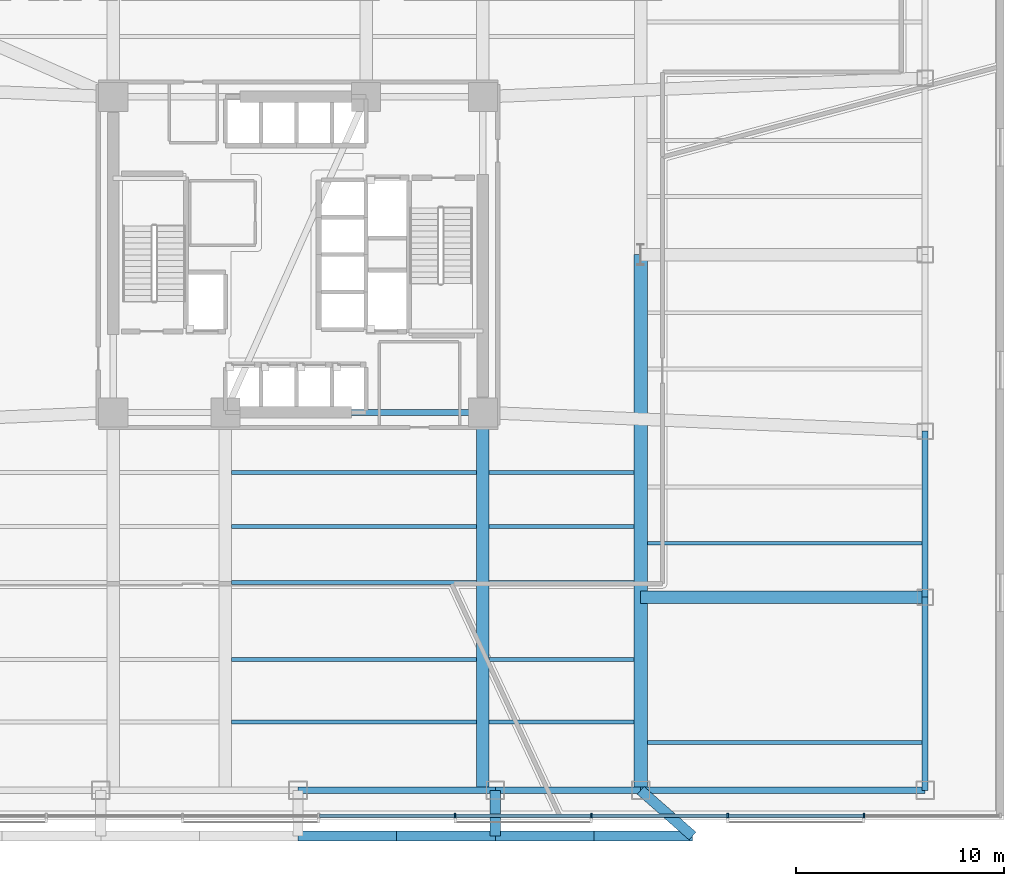
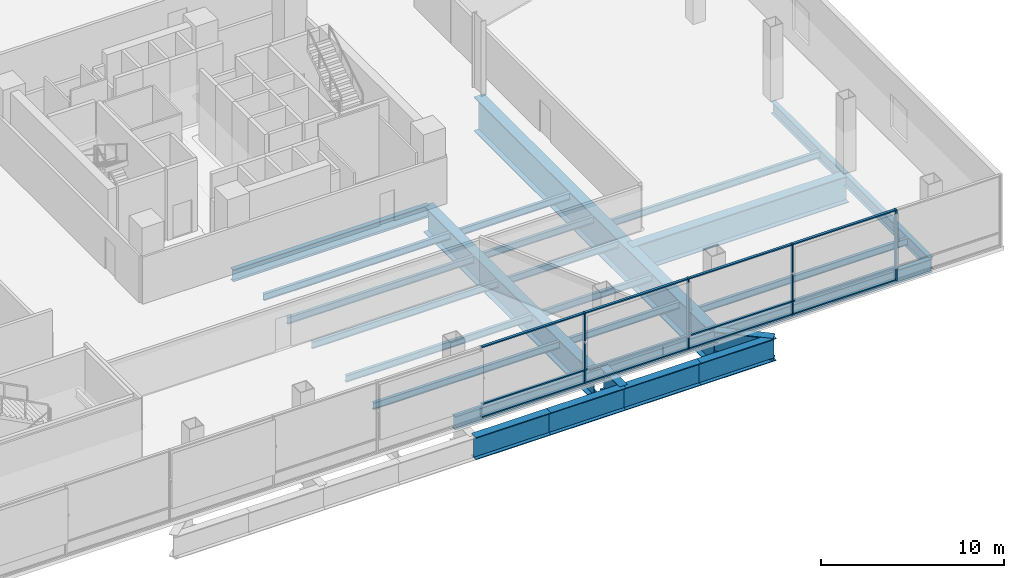
# One storey, part 3 of 20: 27 beams, 16 members, 1 element without a shape of its own.
"""IFC4 building model written with IfcOpenShell, lengths in metres."""

import ifcopenshell
import ifcopenshell.guid

model = None  # the IFC model being written
_history = None  # IfcOwnerHistory: only IFC2X3 demands one
_inside = {}  # id of a spatial element -> (the spatial element, [elements in it])
_under = {}  # id of a project, library or spatial element -> (it, [spatial elements below it])
_declared = {}  # id of a project -> (the project, [libraries it declares])
_typed = {}  # id of a type object -> (the type object, [elements of that type])
_made_of = {}  # id of a material, layer set ... -> (it, [elements and type objects made of it])


def new_model(schema):
    """Start an empty IFC model of exactly this schema.

    Asked for "IFC4X3", IfcOpenShell would pick the latest addendum, in which some entities
    have other attributes; the version numbers below select the first issue.
    IFC2X3 requires an IfcOwnerHistory on every rooted entity: one is made here for all.
    """
    global model, _history
    if schema == "IFC4X3":
        model = ifcopenshell.file(schema_version=(4, 3, 0, 0))
    else:
        model = ifcopenshell.file(schema=schema)
    _inside.clear()
    _under.clear()
    _declared.clear()
    _typed.clear()
    _made_of.clear()
    _history = None
    if model.schema == "IFC2X3":
        org = make("IfcOrganization", Name="unknown")
        user = make(
            "IfcPersonAndOrganization",
            ThePerson=make("IfcPerson", FamilyName="unknown"),
            TheOrganization=org,
        )
        app = make(
            "IfcApplication",
            ApplicationDeveloper=org,
            Version="unknown",
            ApplicationFullName="unknown",
            ApplicationIdentifier="unknown",
        )
        _history = make(
            "IfcOwnerHistory",
            OwningUser=user,
            OwningApplication=app,
            ChangeAction="ADDED",
            CreationDate=0,
        )
    return model


def make(cls, **values):
    """One entity of the class cls with the attributes given. An attribute that is None is left unset."""
    return model.create_entity(
        cls, **{name: value for name, value in values.items() if value is not None}
    )


def rooted(cls, **values):
    """An entity with a GlobalId (a new one), such as an element, a storey or a relation."""
    return make(cls, GlobalId=ifcopenshell.guid.new(), OwnerHistory=_history, **values)


def si_unit(unit_type, name, prefix=None):
    """IfcSIUnit, for example si_unit("LENGTHUNIT", "METRE", prefix="MILLI")."""
    return make("IfcSIUnit", UnitType=unit_type, Prefix=prefix, Name=name)


def assignment(units):
    """IfcUnitAssignment: the units of a project."""
    return None if units is None else make("IfcUnitAssignment", Units=units)


def point(xyz):
    """IfcCartesianPoint."""
    return None if xyz is None else make("IfcCartesianPoint", Coordinates=xyz)


def direction(xyz):
    """IfcDirection."""
    return None if xyz is None else make("IfcDirection", DirectionRatios=xyz)


def frame(location, z_axis=None, x_axis=None):
    """IfcAxis2Placement3D, a coordinate frame: its origin and axes. An axis left out is left unset."""
    return make(
        "IfcAxis2Placement3D",
        Location=point(location),
        Axis=direction(z_axis),
        RefDirection=direction(x_axis),
    )


def frame_2d(location, x_axis=None):
    """IfcAxis2Placement2D, a coordinate frame in the plane: its origin and x axis."""
    return make(
        "IfcAxis2Placement2D", Location=point(location), RefDirection=direction(x_axis)
    )


def origin():
    """The frame at (0, 0, 0) with its axes left unset."""
    return frame((0.0, 0.0, 0.0))


def origin_2d():
    """The frame at (0, 0) in the plane with its x axis left unset."""
    return frame_2d((0.0, 0.0))


def place(relative_to, where):
    """IfcLocalPlacement: puts the frame where relative to a parent placement (None: the world)."""
    return make(
        "IfcLocalPlacement", PlacementRelTo=relative_to, RelativePlacement=where
    )


def context(
    kind, dimensions, precision=None, world=None, true_north=None, identifier=None
):
    """IfcGeometricRepresentationContext, for example the 3D "Model" context."""
    return make(
        "IfcGeometricRepresentationContext",
        ContextIdentifier=identifier,
        ContextType=kind,
        CoordinateSpaceDimension=dimensions,
        Precision=precision,
        WorldCoordinateSystem=world,
        TrueNorth=true_north,
    )


def subcontext(parent, identifier, kind, view, scale=None):
    """IfcGeometricRepresentationSubContext, for example "Body" below "Model"."""
    return make(
        "IfcGeometricRepresentationSubContext",
        ContextIdentifier=identifier,
        ContextType=kind,
        ParentContext=parent,
        TargetScale=scale,
        TargetView=view,
    )


def project(units=None, contexts=None):
    """IfcProject with its units and contexts."""
    return rooted(
        "IfcProject",
        Name="project",
        RepresentationContexts=contexts,
        UnitsInContext=assignment(units),
    )


def spatial(cls, under=None, at=None, **own):
    """A site, building, storey or space (cls), placed at a placement, below another one or the project."""
    s = rooted(cls, ObjectPlacement=at, **own)
    if under is not None:
        _under.setdefault(under.id(), (under, []))[1].append(s)
    return s


def profile(cls, at=None, kind="AREA", **sizes):
    """A parametric profile (cls). Its sizes go by their IFC names, for example OverallWidth=200.0."""
    return make(cls, ProfileType=kind, Position=at, **sizes)


def rectangle(**sizes):
    """IfcRectangleProfileDef."""
    return profile("IfcRectangleProfileDef", **sizes)


def i_section(**sizes):
    """IfcIShapeProfileDef."""
    return profile("IfcIShapeProfileDef", **sizes)


def extrude(swept, where, along, depth):
    """IfcExtrudedAreaSolid: the profile swept, set in the frame where, extruded along a direction by depth."""
    return make(
        "IfcExtrudedAreaSolid",
        SweptArea=swept,
        Position=where,
        ExtrudedDirection=direction(along),
        Depth=depth,
    )


def shape(context_of_items, identifier, shape_type, items):
    """IfcShapeRepresentation: the items that make up one representation, for example the "Body"."""
    return make(
        "IfcShapeRepresentation",
        ContextOfItems=context_of_items,
        RepresentationIdentifier=identifier,
        RepresentationType=shape_type,
        Items=items,
    )


def material(Name=None, Category=None):
    """IfcMaterial."""
    return make("IfcMaterial", Name=Name, Category=Category)


def layer(
    of_material, thickness, ventilated=None, Name=None, Category=None, Priority=None
):
    """IfcMaterialLayer: one layer of a wall or slab, of a material (None: an air gap)."""
    return make(
        "IfcMaterialLayer",
        Material=of_material,
        LayerThickness=thickness,
        IsVentilated=ventilated,
        Name=Name,
        Category=Category,
        Priority=Priority,
    )


def layer_set(layers, Name=None):
    """IfcMaterialLayerSet."""
    return make("IfcMaterialLayerSet", MaterialLayers=layers, LayerSetName=Name)


def material_profile(
    of_material, cross_section, Name=None, Category=None, Priority=None
):
    """IfcMaterialProfile: a cross section and its material."""
    return make(
        "IfcMaterialProfile",
        Name=Name,
        Material=of_material,
        Profile=cross_section,
        Priority=Priority,
        Category=Category,
    )


def profile_set(profiles, Name=None, composite=None):
    """IfcMaterialProfileSet."""
    return make(
        "IfcMaterialProfileSet",
        Name=Name,
        MaterialProfiles=profiles,
        CompositeProfile=composite,
    )


def made_of(thing, what):
    """Note that an element or type object is made of a material, layer set ...; save() writes the relation."""
    if what is not None:
        _made_of.setdefault(what.id(), (what, []))[1].append(thing)
    return thing


def type_object(cls, material=None, **own):
    """A type object (cls), such as IfcWallType, which elements share."""
    return made_of(rooted(cls, **own), material)


def element(
    cls,
    number,
    at=None,
    inside=None,
    cuts=None,
    type_object=None,
    material=None,
    context=None,
    identifier="Body",
    shape_type=None,
    held_by="IfcProductDefinitionShape",
    body=None,
    shapes=None,
    **own,
):
    """One element of the class cls, such as IfcWall. Its Tag is "e" and its number.

    at: its placement. inside: the storey or other place that contains it. cuts: it is an
    opening in that element (IfcRelVoidsElement). A single representation is given by context,
    identifier, shape_type and body (its items); several are given by shapes. held_by: the class
    of the entity that holds the representations. save() writes the other relations.
    """
    e = rooted(cls, Tag="e%d" % number, ObjectPlacement=at, **own)
    if body is not None:
        shapes = [shape(context, identifier, shape_type, body)]
    if shapes is not None:
        e.Representation = make(held_by, Representations=shapes)
    if inside is not None:
        _inside.setdefault(inside.id(), (inside, []))[1].append(e)
    if cuts is not None:
        rooted(
            "IfcRelVoidsElement", RelatingBuildingElement=cuts, RelatedOpeningElement=e
        )
    if type_object is not None:
        _typed.setdefault(type_object.id(), (type_object, []))[1].append(e)
    return made_of(e, material)


def aggregate(whole, parts):
    """IfcRelAggregates: a whole, such as a stair, and the parts it consists of."""
    return rooted("IfcRelAggregates", RelatingObject=whole, RelatedObjects=parts)


def save(model, path):
    """Write the relations noted so far, then the file.

    IfcRelAggregates (storeys below a building ...), IfcRelContainedInSpatialStructure (elements
    in a storey), IfcRelDefinesByType, IfcRelAssociatesMaterial and IfcRelDeclares: one each for
    every whole, place, type object, material and project.
    """
    for whole, parts in _under.values():
        aggregate(whole, parts)
    for where, things in _inside.values():
        rooted(
            "IfcRelContainedInSpatialStructure",
            RelatedElements=things,
            RelatingStructure=where,
        )
    for kind, things in _typed.values():
        rooted("IfcRelDefinesByType", RelatedObjects=things, RelatingType=kind)
    for what, things in _made_of.values():
        rooted("IfcRelAssociatesMaterial", RelatedObjects=things, RelatingMaterial=what)
    for by, libraries in _declared.values():
        rooted("IfcRelDeclares", RelatingContext=by, RelatedDefinitions=libraries)
    model.write(path)


model = new_model("IFC4")

# Units and contexts
model_context = context("Model", 3, precision=1e-05, world=origin(), true_north=direction((0.0, 1.0)))
body_context = subcontext(model_context, "Body", "Model", "MODEL_VIEW")
ifc_project = project(units=[si_unit("LENGTHUNIT", "METRE"), si_unit("AREAUNIT", "SQUARE_METRE"), si_unit("VOLUMEUNIT", "CUBIC_METRE"), si_unit("PLANEANGLEUNIT", "RADIAN"), si_unit("MASSUNIT", "GRAM", prefix="KILO")], contexts=[model_context])

# Site, building, storey
site_placement = place(None, origin())
site = spatial("IfcSite", under=ifc_project, at=site_placement, CompositionType="ELEMENT")
building_placement = place(site_placement, origin())
building = spatial("IfcBuilding", under=site, at=building_placement, Name="Tharavind Bronze Gate", CompositionType="ELEMENT")
storey_placement = place(building_placement, frame((0.0, 0.0, 16.5)))
storey = spatial("IfcBuildingStorey", under=building, at=storey_placement, Name="L03", CompositionType="ELEMENT", Elevation=16.5)

# Curtain wall, members
ifc_material_1 = material(Name="Anodised Bronze Aluminium", Category="aluminium")
ifc_layer = layer(ifc_material_1, 0.219970703125)
ifc_layer_set = layer_set([ifc_layer], Name="Anodised Bronze Aluminium")
curtain_wall_type = type_object("IfcCurtainWallType", Name="UNITISED CURTAIN WALL PODIUM", PredefinedType="USERDEFINED", material=ifc_layer_set)
curtain_wall_placement = place(storey_placement, origin())
curtain_wall = element("IfcCurtainWall", 1, at=curtain_wall_placement, inside=storey, type_object=curtain_wall_type, Name="L03 unitised curtain wall podium CW-L03-S1", ObjectType="UNITISED CURTAIN WALL", PredefinedType="USERDEFINED")
member_type_1 = type_object("IfcMemberType", Name="CURTAIN WALL MULLION 80X220", PredefinedType="MULLION", material=ifc_material_1)
member_1_placement = place(storey_placement, frame((7.56396484375, -27.02001953125, 0.0), z_axis=(0.0, 0.0, 1.0), x_axis=(1.0, 0.0, 0.0)))
member_1 = element("IfcMember", 2, at=member_1_placement, type_object=member_type_1, Name="CW-L03-S1 mullion 7", PredefinedType="MULLION", context=body_context, shape_type="SweptSolid", body=[
    extrude(rectangle(XDim=0.080078125, YDim=0.219970703125, at=origin_2d()), origin(), (0.0, 0.0, 1.0), 4.739990234375),
])
member_2_placement = place(storey_placement, frame((14.1279296875, -27.02001953125, 0.0), z_axis=(0.0, 0.0, 1.0), x_axis=(1.0, 0.0, 0.0)))
member_2 = element("IfcMember", 3, at=member_2_placement, type_object=member_type_1, Name="CW-L03-S1 mullion 8", PredefinedType="MULLION", context=body_context, shape_type="SweptSolid", body=[
    extrude(rectangle(XDim=0.080078125, YDim=0.219970703125, at=origin_2d()), origin(), (0.0, 0.0, 1.0), 4.739990234375),
])
member_3_placement = place(storey_placement, frame((20.69189453125, -27.02001953125, 0.0), z_axis=(0.0, 0.0, 1.0), x_axis=(1.0, 0.0, 0.0)))
member_3 = element("IfcMember", 4, at=member_3_placement, type_object=member_type_1, Name="CW-L03-S1 mullion 9", PredefinedType="MULLION", context=body_context, shape_type="SweptSolid", body=[
    extrude(rectangle(XDim=0.080078125, YDim=0.219970703125, at=origin_2d()), origin(), (0.0, 0.0, 1.0), 4.739990234375),
])
member_4_placement = place(storey_placement, frame((27.256103515625, -27.02001953125, 0.0), z_axis=(0.0, 0.0, 1.0), x_axis=(1.0, 0.0, 0.0)))
member_4 = element("IfcMember", 5, at=member_4_placement, type_object=member_type_1, Name="CW-L03-S1 mullion 10", PredefinedType="MULLION", context=body_context, shape_type="SweptSolid", body=[
    extrude(rectangle(XDim=0.080078125, YDim=0.219970703125, at=origin_2d()), origin(), (0.0, 0.0, 1.0), 4.739990234375),
])
member_type_2 = type_object("IfcMemberType", Name="CURTAIN WALL TRANSOM 80X160", PredefinedType="USERDEFINED", material=ifc_material_1)
member_5_placement = place(storey_placement, frame((4.281982421875, -27.02001953125, 0.0), z_axis=(0.0, 0.0, 1.0), x_axis=(1.0, 0.0, 0.0)))
member_5 = element("IfcMember", 6, at=member_5_placement, type_object=member_type_2, Name="CW-L03-S1 transom TB6", ObjectType="TRANSOM", PredefinedType="USERDEFINED", context=body_context, shape_type="SweptSolid", body=[
    extrude(rectangle(XDim=6.49609375, YDim=0.159912109375, at=origin_2d()), origin(), (0.0, 0.0, 1.0), 0.080078125),
])
member_6_placement = place(storey_placement, frame((4.281982421875, -27.02001953125, 0.85986328125), z_axis=(0.0, 0.0, 1.0), x_axis=(1.0, 0.0, 0.0)))
member_6 = element("IfcMember", 7, at=member_6_placement, type_object=member_type_2, Name="CW-L03-S1 transom TS6", ObjectType="TRANSOM", PredefinedType="USERDEFINED", context=body_context, shape_type="SweptSolid", body=[
    extrude(rectangle(XDim=6.49609375, YDim=0.159912109375, at=origin_2d()), origin(), (0.0, 0.0, 1.0), 0.080078125),
])
member_7_placement = place(storey_placement, frame((4.281982421875, -27.02001953125, 4.659912109375), z_axis=(0.0, 0.0, 1.0), x_axis=(1.0, 0.0, 0.0)))
member_7 = element("IfcMember", 8, at=member_7_placement, type_object=member_type_2, Name="CW-L03-S1 transom TT6", ObjectType="TRANSOM", PredefinedType="USERDEFINED", context=body_context, shape_type="SweptSolid", body=[
    extrude(rectangle(XDim=6.49609375, YDim=0.159912109375, at=origin_2d()), origin(), (0.0, 0.0, 1.0), 0.080078125),
])
member_8_placement = place(storey_placement, frame((10.845947265625, -27.02001953125, 0.0), z_axis=(0.0, 0.0, 1.0), x_axis=(1.0, 0.0, 0.0)))
member_8 = element("IfcMember", 9, at=member_8_placement, type_object=member_type_2, Name="CW-L03-S1 transom TB7", ObjectType="TRANSOM", PredefinedType="USERDEFINED", context=body_context, shape_type="SweptSolid", body=[
    extrude(rectangle(XDim=6.49609375, YDim=0.159912109375, at=origin_2d()), origin(), (0.0, 0.0, 1.0), 0.080078125),
])
member_9_placement = place(storey_placement, frame((10.845947265625, -27.02001953125, 0.85986328125), z_axis=(0.0, 0.0, 1.0), x_axis=(1.0, 0.0, 0.0)))
member_9 = element("IfcMember", 10, at=member_9_placement, type_object=member_type_2, Name="CW-L03-S1 transom TS7", ObjectType="TRANSOM", PredefinedType="USERDEFINED", context=body_context, shape_type="SweptSolid", body=[
    extrude(rectangle(XDim=6.49609375, YDim=0.159912109375, at=origin_2d()), origin(), (0.0, 0.0, 1.0), 0.080078125),
])
member_10_placement = place(storey_placement, frame((10.845947265625, -27.02001953125, 4.659912109375), z_axis=(0.0, 0.0, 1.0), x_axis=(1.0, 0.0, 0.0)))
member_10 = element("IfcMember", 11, at=member_10_placement, type_object=member_type_2, Name="CW-L03-S1 transom TT7", ObjectType="TRANSOM", PredefinedType="USERDEFINED", context=body_context, shape_type="SweptSolid", body=[
    extrude(rectangle(XDim=6.49609375, YDim=0.159912109375, at=origin_2d()), origin(), (0.0, 0.0, 1.0), 0.080078125),
])
member_11_placement = place(storey_placement, frame((17.409912109375, -27.02001953125, 0.0), z_axis=(0.0, 0.0, 1.0), x_axis=(1.0, 0.0, 0.0)))
member_11 = element("IfcMember", 12, at=member_11_placement, type_object=member_type_2, Name="CW-L03-S1 transom TB8", ObjectType="TRANSOM", PredefinedType="USERDEFINED", context=body_context, shape_type="SweptSolid", body=[
    extrude(rectangle(XDim=6.49609375, YDim=0.159912109375, at=origin_2d()), origin(), (0.0, 0.0, 1.0), 0.080078125),
])
member_12_placement = place(storey_placement, frame((17.409912109375, -27.02001953125, 0.85986328125), z_axis=(0.0, 0.0, 1.0), x_axis=(1.0, 0.0, 0.0)))
member_12 = element("IfcMember", 13, at=member_12_placement, type_object=member_type_2, Name="CW-L03-S1 transom TS8", ObjectType="TRANSOM", PredefinedType="USERDEFINED", context=body_context, shape_type="SweptSolid", body=[
    extrude(rectangle(XDim=6.49609375, YDim=0.159912109375, at=origin_2d()), origin(), (0.0, 0.0, 1.0), 0.080078125),
])
member_13_placement = place(storey_placement, frame((17.409912109375, -27.02001953125, 4.659912109375), z_axis=(0.0, 0.0, 1.0), x_axis=(1.0, 0.0, 0.0)))
member_13 = element("IfcMember", 14, at=member_13_placement, type_object=member_type_2, Name="CW-L03-S1 transom TT8", ObjectType="TRANSOM", PredefinedType="USERDEFINED", context=body_context, shape_type="SweptSolid", body=[
    extrude(rectangle(XDim=6.49609375, YDim=0.159912109375, at=origin_2d()), origin(), (0.0, 0.0, 1.0), 0.080078125),
])
member_14_placement = place(storey_placement, frame((23.97412109375, -27.02001953125, 0.0), z_axis=(0.0, 0.0, 1.0), x_axis=(1.0, 0.0, 0.0)))
member_14 = element("IfcMember", 15, at=member_14_placement, type_object=member_type_2, Name="CW-L03-S1 transom TB9", ObjectType="TRANSOM", PredefinedType="USERDEFINED", context=body_context, shape_type="SweptSolid", body=[
    extrude(rectangle(XDim=6.49609375, YDim=0.159912109375, at=origin_2d()), origin(), (0.0, 0.0, 1.0), 0.080078125),
])
member_15_placement = place(storey_placement, frame((23.97412109375, -27.02001953125, 0.85986328125), z_axis=(0.0, 0.0, 1.0), x_axis=(1.0, 0.0, 0.0)))
member_15 = element("IfcMember", 16, at=member_15_placement, type_object=member_type_2, Name="CW-L03-S1 transom TS9", ObjectType="TRANSOM", PredefinedType="USERDEFINED", context=body_context, shape_type="SweptSolid", body=[
    extrude(rectangle(XDim=6.49609375, YDim=0.159912109375, at=origin_2d()), origin(), (0.0, 0.0, 1.0), 0.080078125),
])
member_16_placement = place(storey_placement, frame((23.97412109375, -27.02001953125, 4.659912109375), z_axis=(0.0, 0.0, 1.0), x_axis=(1.0, 0.0, 0.0)))
member_16 = element("IfcMember", 17, at=member_16_placement, type_object=member_type_2, Name="CW-L03-S1 transom TT9", ObjectType="TRANSOM", PredefinedType="USERDEFINED", context=body_context, shape_type="SweptSolid", body=[
    extrude(rectangle(XDim=6.49609375, YDim=0.159912109375, at=origin_2d()), origin(), (0.0, 0.0, 1.0), 0.080078125),
])
aggregate(curtain_wall, [member_1, member_2, member_3, member_4, member_5, member_6, member_7, member_8, member_9, member_10, member_11, member_12, member_13, member_14, member_15, member_16])

# Beams
ifc_material_2 = material(Name="Steel S355", Category="steel")
ifc_material_profile_1 = material_profile(ifc_material_2, i_section(OverallWidth=0.300048828125, OverallDepth=0.800048828125, WebThickness=0.017578125, FlangeThickness=0.032958984375, at=origin_2d()), Name="HE800B")
ifc_profile_set_1 = profile_set([ifc_material_profile_1], Name="Steel S355")
beam_type_1 = type_object("IfcBeamType", Name="RING GIRDER HE800B", PredefinedType="USERDEFINED", material=ifc_profile_set_1)
beam_1_placement = place(storey_placement, frame((-3.5, -7.60009765625, -0.659912109375), z_axis=(1.0, 0.0, 0.0), x_axis=(0.0, 1.0, 0.0)))
element("IfcBeam", 18, at=beam_1_placement, inside=storey, type_object=beam_type_1, Name="L03 ring girder he800b BM-L03-CR2", ObjectType="GIRDER", PredefinedType="USERDEFINED", context=body_context, shape_type="SweptSolid", body=[
    extrude(i_section(OverallWidth=0.300048828125, OverallDepth=0.800048828125, WebThickness=0.017578125, FlangeThickness=0.032958984375, at=origin_2d()), origin(), (0.0, 0.0, 1.0), 12.39990234375),
])
beam_2_placement = place(storey_placement, frame((30.199951171875, -25.800048828125, -0.659912109375), z_axis=(0.0, 1.0, 0.0), x_axis=(-1.0, 0.0, 0.0)))
element("IfcBeam", 19, at=beam_2_placement, inside=storey, type_object=beam_type_1, Name="L03 ring girder he800b BM-L03-PE1", ObjectType="GIRDER", PredefinedType="USERDEFINED", context=body_context, shape_type="SweptSolid", body=[
    extrude(i_section(OverallWidth=0.300048828125, OverallDepth=0.800048828125, WebThickness=0.017578125, FlangeThickness=0.032958984375, at=origin_2d()), origin(), (0.0, 0.0, 1.0), 9.300048828125),
])
beam_3_placement = place(storey_placement, frame((30.199951171875, -16.5, -0.659912109375), z_axis=(0.0, 1.0, 0.0), x_axis=(-1.0, 0.0, 0.0)))
element("IfcBeam", 20, at=beam_3_placement, inside=storey, type_object=beam_type_1, Name="L03 ring girder he800b BM-L03-PE2", ObjectType="GIRDER", PredefinedType="USERDEFINED", context=body_context, shape_type="SweptSolid", body=[
    extrude(i_section(OverallWidth=0.300048828125, OverallDepth=0.800048828125, WebThickness=0.017578125, FlangeThickness=0.032958984375, at=origin_2d()), origin(), (0.0, 0.0, 1.0), 8.0),
])
ifc_material_profile_2 = material_profile(ifc_material_2, i_section(OverallWidth=0.18994140625, OverallDepth=0.449951171875, WebThickness=0.009521484375, FlangeThickness=0.0146484375, at=origin_2d()), Name="IPE450")
ifc_profile_set_2 = profile_set([ifc_material_profile_2], Name="Steel S355")
beam_type_2 = type_object("IfcBeamType", Name="SECONDARY FLOOR JOIST IPE450", PredefinedType="JOIST", material=ifc_profile_set_2)
beam_4_placement = place(storey_placement, frame((-3.197998046875, -22.5, -0.485107421875), z_axis=(1.0, 0.0, 0.0), x_axis=(0.0, 1.0, 0.0)))
element("IfcBeam", 21, at=beam_4_placement, inside=storey, type_object=beam_type_2, Name="L03 secondary floor joist ipe450 BM-L03-JSS1B", PredefinedType="JOIST", context=body_context, shape_type="SweptSolid", body=[
    extrude(i_section(OverallWidth=0.18994140625, OverallDepth=0.449951171875, WebThickness=0.009521484375, FlangeThickness=0.0146484375, at=origin_2d()), origin(), (0.0, 0.0, 1.0), 11.7958984375),
])
beam_5_placement = place(storey_placement, frame((9.201904296875, -22.5, -0.485107421875), z_axis=(1.0, 0.0, 0.0), x_axis=(0.0, 1.0, 0.0)))
element("IfcBeam", 22, at=beam_5_placement, inside=storey, type_object=beam_type_2, Name="L03 secondary floor joist ipe450 BM-L03-JSS1E", PredefinedType="JOIST", context=body_context, shape_type="SweptSolid", body=[
    extrude(i_section(OverallWidth=0.18994140625, OverallDepth=0.449951171875, WebThickness=0.009521484375, FlangeThickness=0.0146484375, at=origin_2d()), origin(), (0.0, 0.0, 1.0), 6.97119140625),
])
beam_6_placement = place(storey_placement, frame((-3.197998046875, -19.5, -0.485107421875), z_axis=(1.0, 0.0, 0.0), x_axis=(0.0, 1.0, 0.0)))
element("IfcBeam", 23, at=beam_6_placement, inside=storey, type_object=beam_type_2, Name="L03 secondary floor joist ipe450 BM-L03-JSS2B", PredefinedType="JOIST", context=body_context, shape_type="SweptSolid", body=[
    extrude(i_section(OverallWidth=0.18994140625, OverallDepth=0.449951171875, WebThickness=0.009521484375, FlangeThickness=0.0146484375, at=origin_2d()), origin(), (0.0, 0.0, 1.0), 11.7958984375),
])
beam_7_placement = place(storey_placement, frame((9.201904296875, -19.5, -0.485107421875), z_axis=(1.0, 0.0, 0.0), x_axis=(0.0, 1.0, 0.0)))
element("IfcBeam", 24, at=beam_7_placement, inside=storey, type_object=beam_type_2, Name="L03 secondary floor joist ipe450 BM-L03-JSS2E", PredefinedType="JOIST", context=body_context, shape_type="SweptSolid", body=[
    extrude(i_section(OverallWidth=0.18994140625, OverallDepth=0.449951171875, WebThickness=0.009521484375, FlangeThickness=0.0146484375, at=origin_2d()), origin(), (0.0, 0.0, 1.0), 6.97119140625),
])
beam_8_placement = place(storey_placement, frame((-3.197998046875, -15.800048828125, -0.485107421875), z_axis=(1.0, 0.0, 0.0), x_axis=(0.0, 1.0, 0.0)))
element("IfcBeam", 25, at=beam_8_placement, inside=storey, type_object=beam_type_2, Name="L03 secondary floor joist ipe450 BM-L03-JSS3B", PredefinedType="JOIST", context=body_context, shape_type="SweptSolid", body=[
    extrude(i_section(OverallWidth=0.18994140625, OverallDepth=0.449951171875, WebThickness=0.009521484375, FlangeThickness=0.0146484375, at=origin_2d()), origin(), (0.0, 0.0, 1.0), 11.7958984375),
])
beam_9_placement = place(storey_placement, frame((9.201904296875, -15.800048828125, -0.485107421875), z_axis=(1.0, 0.0, 0.0), x_axis=(0.0, 1.0, 0.0)))
element("IfcBeam", 26, at=beam_9_placement, inside=storey, type_object=beam_type_2, Name="L03 secondary floor joist ipe450 BM-L03-JSS3E", PredefinedType="JOIST", context=body_context, shape_type="SweptSolid", body=[
    extrude(i_section(OverallWidth=0.18994140625, OverallDepth=0.449951171875, WebThickness=0.009521484375, FlangeThickness=0.0146484375, at=origin_2d()), origin(), (0.0, 0.0, 1.0), 6.97119140625),
])
beam_10_placement = place(storey_placement, frame((-3.197998046875, -13.10009765625, -0.485107421875), z_axis=(1.0, 0.0, 0.0), x_axis=(0.0, 1.0, 0.0)))
element("IfcBeam", 27, at=beam_10_placement, inside=storey, type_object=beam_type_2, Name="L03 secondary floor joist ipe450 BM-L03-JSS4B", PredefinedType="JOIST", context=body_context, shape_type="SweptSolid", body=[
    extrude(i_section(OverallWidth=0.18994140625, OverallDepth=0.449951171875, WebThickness=0.009521484375, FlangeThickness=0.0146484375, at=origin_2d()), origin(), (0.0, 0.0, 1.0), 11.7958984375),
])
beam_11_placement = place(storey_placement, frame((9.201904296875, -13.10009765625, -0.485107421875), z_axis=(1.0, 0.0, 0.0), x_axis=(0.0, 1.0, 0.0)))
element("IfcBeam", 28, at=beam_11_placement, inside=storey, type_object=beam_type_2, Name="L03 secondary floor joist ipe450 BM-L03-JSS4E", PredefinedType="JOIST", context=body_context, shape_type="SweptSolid", body=[
    extrude(i_section(OverallWidth=0.18994140625, OverallDepth=0.449951171875, WebThickness=0.009521484375, FlangeThickness=0.0146484375, at=origin_2d()), origin(), (0.0, 0.0, 1.0), 6.97119140625),
])
beam_12_placement = place(storey_placement, frame((-3.197998046875, -10.5, -0.485107421875), z_axis=(1.0, 0.0, 0.0), x_axis=(0.0, 1.0, 0.0)))
element("IfcBeam", 29, at=beam_12_placement, inside=storey, type_object=beam_type_2, Name="L03 secondary floor joist ipe450 BM-L03-JSS5B", PredefinedType="JOIST", context=body_context, shape_type="SweptSolid", body=[
    extrude(i_section(OverallWidth=0.18994140625, OverallDepth=0.449951171875, WebThickness=0.009521484375, FlangeThickness=0.0146484375, at=origin_2d()), origin(), (0.0, 0.0, 1.0), 11.7958984375),
])
beam_13_placement = place(storey_placement, frame((9.201904296875, -10.5, -0.485107421875), z_axis=(1.0, 0.0, 0.0), x_axis=(0.0, 1.0, 0.0)))
element("IfcBeam", 30, at=beam_13_placement, inside=storey, type_object=beam_type_2, Name="L03 secondary floor joist ipe450 BM-L03-JSS5E", PredefinedType="JOIST", context=body_context, shape_type="SweptSolid", body=[
    extrude(i_section(OverallWidth=0.18994140625, OverallDepth=0.449951171875, WebThickness=0.009521484375, FlangeThickness=0.0146484375, at=origin_2d()), origin(), (0.0, 0.0, 1.0), 6.97119140625),
])
for number, where, z_axis, x_axis, name in (
    (31, (16.826904296875, -23.5, -0.485107421875), (1.0, 0.0, 0.0), (0.0, 1.0, 0.0), "L03 secondary floor joist ipe450 BM-L03-JSEE1"),
    (32, (16.826904296875, -13.89990234375, -0.485107421875), (1.0, 0.0, 0.0), (0.0, 1.0, 0.0), "L03 secondary floor joist ipe450 BM-L03-JSEE2"),
):
    element("IfcBeam", number, at=place(storey_placement, frame(where, z_axis=z_axis, x_axis=x_axis)), inside=storey, type_object=beam_type_2, Name=name, PredefinedType="JOIST", context=body_context, shape_type="SweptSolid", body=[
        extrude(i_section(OverallWidth=0.18994140625, OverallDepth=0.449951171875, WebThickness=0.009521484375, FlangeThickness=0.0146484375, at=origin_2d()), origin(), (0.0, 0.0, 1.0), 13.213134765625),
    ])
ifc_material_profile_3 = material_profile(ifc_material_2, i_section(OverallWidth=0.300048828125, OverallDepth=0.89990234375, WebThickness=0.0185546875, FlangeThickness=0.034912109375, at=origin_2d()), Name="HE900B")
ifc_profile_set_3 = profile_set([ifc_material_profile_3], Name="Steel S355")
beam_type_3 = type_object("IfcBeamType", Name="SPANDREL RING BEAM HE900B", PredefinedType="SPANDREL", material=ifc_profile_set_3)
beam_14_placement = place(storey_placement, frame((0.0, -25.800048828125, -0.7099609375), z_axis=(1.0, 0.0, 0.0), x_axis=(0.0, 1.0, 0.0)))
element("IfcBeam", 33, at=beam_14_placement, inside=storey, type_object=beam_type_3, Name="L03 spandrel ring beam he900b BM-L03-PS4", PredefinedType="SPANDREL", context=body_context, shape_type="SweptSolid", body=[
    extrude(i_section(OverallWidth=0.300048828125, OverallDepth=0.89990234375, WebThickness=0.0185546875, FlangeThickness=0.034912109375, at=origin_2d()), origin(), (0.0, 0.0, 1.0), 9.5),
])
beam_15_placement = place(storey_placement, frame((9.5, -25.800048828125, -0.7099609375), z_axis=(1.0, 0.0, 0.0), x_axis=(0.0, 1.0, 0.0)))
element("IfcBeam", 34, at=beam_15_placement, inside=storey, type_object=beam_type_3, Name="L03 spandrel ring beam he900b BM-L03-PS5", PredefinedType="SPANDREL", context=body_context, shape_type="SweptSolid", body=[
    extrude(i_section(OverallWidth=0.300048828125, OverallDepth=0.89990234375, WebThickness=0.0185546875, FlangeThickness=0.034912109375, at=origin_2d()), origin(), (0.0, 0.0, 1.0), 7.0),
])
beam_16_placement = place(storey_placement, frame((16.5, -25.800048828125, -0.7099609375), z_axis=(1.0, 0.0, 0.0), x_axis=(0.0, 1.0, 0.0)))
element("IfcBeam", 35, at=beam_16_placement, inside=storey, type_object=beam_type_3, Name="L03 spandrel ring beam he900b BM-L03-PS6", PredefinedType="SPANDREL", context=body_context, shape_type="SweptSolid", body=[
    extrude(i_section(OverallWidth=0.300048828125, OverallDepth=0.89990234375, WebThickness=0.0185546875, FlangeThickness=0.034912109375, at=origin_2d()), origin(), (0.0, 0.0, 1.0), 13.699951171875),
])
ifc_material_3 = material(Name="Steel S460", Category="steel")
ifc_material_profile_4 = material_profile(ifc_material_3, i_section(OverallWidth=0.5, OverallDepth=1.5, WebThickness=0.028076171875, FlangeThickness=0.050048828125, at=origin_2d()), Name="PG1500X500")
ifc_profile_set_4 = profile_set([ifc_material_profile_4], Name="Steel S460")
beam_type_4 = type_object("IfcBeamType", Name="TRANSFER GIRDER 1500X500", PredefinedType="USERDEFINED", material=ifc_profile_set_4)
for number, where, z_axis, x_axis, name in (
    (36, (0.0, -28.0, -1.010009765625), (1.0, 0.0, 0.0), (0.0, 1.0, 0.0), "L03 transfer girder 1500x500 BM-L03-ARCHHD-5"),
    (37, (4.75, -28.0, -1.010009765625), (1.0, 0.0, 0.0), (0.0, 1.0, 0.0), "L03 transfer girder 1500x500 BM-L03-ARCHHD-6"),
    (38, (9.5, -28.0, -1.010009765625), (1.0, 0.0, 0.0), (0.0, 1.0, 0.0), "L03 transfer girder 1500x500 BM-L03-ARCHHD-7"),
    (39, (14.25, -28.0, -1.010009765625), (1.0, 0.0, 0.0), (0.0, 1.0, 0.0), "L03 transfer girder 1500x500 BM-L03-ARCHHD-8"),
):
    element("IfcBeam", number, at=place(storey_placement, frame(where, z_axis=z_axis, x_axis=x_axis)), inside=storey, type_object=beam_type_4, Name=name, ObjectType="TRANSFER GIRDER", PredefinedType="USERDEFINED", context=body_context, shape_type="SweptSolid", body=[
        extrude(i_section(OverallWidth=0.5, OverallDepth=1.5, WebThickness=0.028076171875, FlangeThickness=0.050048828125, at=origin_2d()), origin(), (0.0, 0.0, 1.0), 4.75),
    ])
beam_17_placement = place(storey_placement, frame((9.5, -28.0, -1.010009765625), z_axis=(0.0, 1.0, 0.0), x_axis=(-1.0, 0.0, 0.0)))
element("IfcBeam", 40, at=beam_17_placement, inside=storey, type_object=beam_type_4, Name="L03 transfer girder 1500x500 BM-L03-ARCHT4", ObjectType="TRANSFER GIRDER", PredefinedType="USERDEFINED", context=body_context, shape_type="SweptSolid", body=[
    extrude(i_section(OverallWidth=0.5, OverallDepth=1.5, WebThickness=0.028076171875, FlangeThickness=0.050048828125, at=origin_2d()), origin(), (0.0, 0.0, 1.0), 2.199951171875),
])
beam_18_placement = place(storey_placement, frame((19.0, -28.0, -1.010009765625), z_axis=(-0.750720788639, 0.660619631487, 0.0), x_axis=(-0.660619631487, -0.750720788639, 0.0)))
element("IfcBeam", 41, at=beam_18_placement, inside=storey, type_object=beam_type_4, Name="L03 transfer girder 1500x500 BM-L03-ARCHT5", ObjectType="TRANSFER GIRDER", PredefinedType="USERDEFINED", context=body_context, shape_type="SweptSolid", body=[
    extrude(i_section(OverallWidth=0.5, OverallDepth=1.5, WebThickness=0.028076171875, FlangeThickness=0.050048828125, at=origin_2d()), origin(), (0.0, 0.0, 1.0), 3.330078125),
])
ifc_material_profile_5 = material_profile(ifc_material_3, i_section(OverallWidth=0.60009765625, OverallDepth=1.800048828125, WebThickness=0.031982421875, FlangeThickness=0.054931640625, at=origin_2d()), Name="PG1800X600")
ifc_profile_set_5 = profile_set([ifc_material_profile_5], Name="Steel S460")
beam_type_5 = type_object("IfcBeamType", Name="TRANSFER GIRDER 1800X600", PredefinedType="USERDEFINED", material=ifc_profile_set_5)
beam_19_placement = place(storey_placement, frame((8.89990234375, -25.800048828125, -1.159912109375), z_axis=(0.0, 1.0, 0.0), x_axis=(-1.0, 0.0, 0.0)))
element("IfcBeam", 42, at=beam_19_placement, inside=storey, type_object=beam_type_5, Name="L03 transfer girder 1800x600 BM-L03-GS4", ObjectType="TRANSFER GIRDER", PredefinedType="USERDEFINED", context=body_context, shape_type="SweptSolid", body=[
    extrude(i_section(OverallWidth=0.60009765625, OverallDepth=1.800048828125, WebThickness=0.031982421875, FlangeThickness=0.054931640625, at=origin_2d()), origin(), (0.0, 0.0, 1.0), 18.199951171875),
])
beam_20_placement = place(storey_placement, frame((30.199951171875, -16.5, -1.159912109375), z_axis=(-1.0, 0.0, 0.0), x_axis=(0.0, -1.0, 0.0)))
element("IfcBeam", 43, at=beam_20_placement, inside=storey, type_object=beam_type_5, Name="L03 transfer girder 1800x600 BM-L03-GE0", ObjectType="TRANSFER GIRDER", PredefinedType="USERDEFINED", context=body_context, shape_type="SweptSolid", body=[
    extrude(i_section(OverallWidth=0.60009765625, OverallDepth=1.800048828125, WebThickness=0.031982421875, FlangeThickness=0.054931640625, at=origin_2d()), origin(), (0.0, 0.0, 1.0), 13.699951171875),
])
ifc_material_profile_6 = material_profile(ifc_material_3, i_section(OverallWidth=0.64990234375, OverallDepth=2.300048828125, WebThickness=0.035888671875, FlangeThickness=0.05810546875, at=origin_2d()), Name="PG2300X650")
ifc_profile_set_6 = profile_set([ifc_material_profile_6], Name="Steel S460")
beam_type_6 = type_object("IfcBeamType", Name="TRANSFER GIRDER 2300X650", PredefinedType="USERDEFINED", material=ifc_profile_set_6)
beam_21_placement = place(storey_placement, frame((16.5, -25.800048828125, -1.409912109375), z_axis=(0.0, 1.0, 0.0), x_axis=(-1.0, 0.0, 0.0)))
element("IfcBeam", 44, at=beam_21_placement, inside=storey, type_object=beam_type_6, Name="L03 transfer girder 2300x650 BM-L03-GS5S", ObjectType="TRANSFER GIRDER", PredefinedType="USERDEFINED", context=body_context, shape_type="SweptSolid", body=[
    extrude(i_section(OverallWidth=0.64990234375, OverallDepth=2.300048828125, WebThickness=0.035888671875, FlangeThickness=0.05810546875, at=origin_2d()), origin(), (0.0, 0.0, 1.0), 25.800048828125),
])

save(model, "model.ifc")
